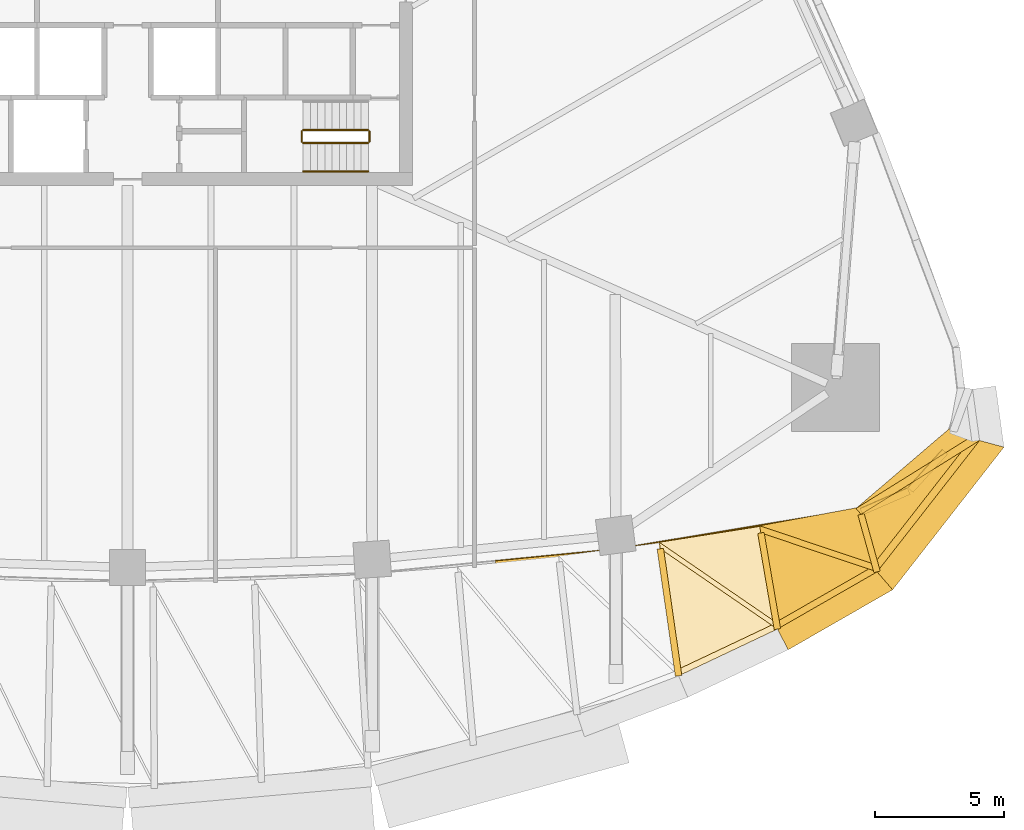
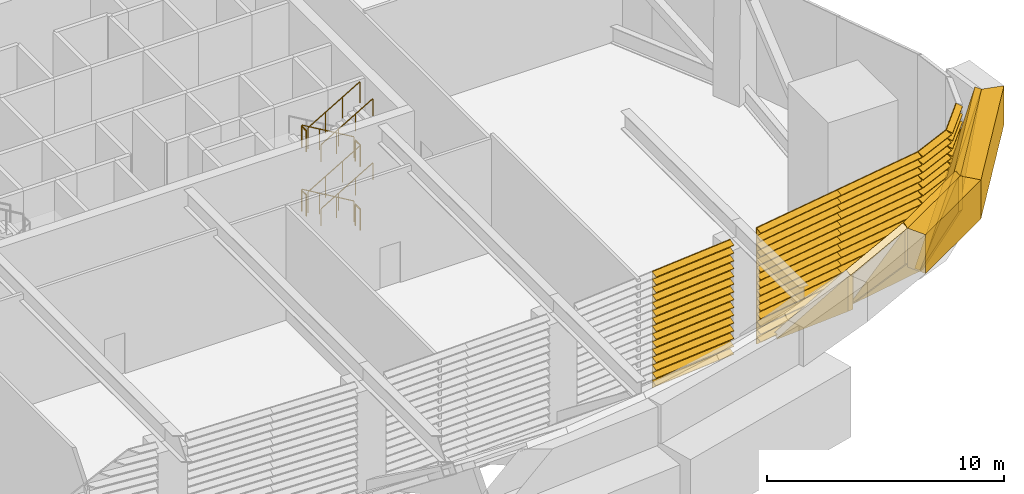
# One storey, part 11 of 15: 11 coverings, 10 railings, 5 shading devices.
"""IFC4 building model written with IfcOpenShell, lengths in metres."""

from ifc_helpers import new_model, si_unit, direction, frame, origin, origin_2d, place, context, subcontext, project, spatial, polyline, circle, outline, extrude, material, layer, layer_set, type_object, element, save


model = new_model("IFC4")

# Units and contexts
model_context = context("Model", 3, precision=1e-05, world=origin(), true_north=direction((0.0, 1.0)))
body_context = subcontext(model_context, "Body", "Model", "MODEL_VIEW")
ifc_project = project(units=[si_unit("LENGTHUNIT", "METRE"), si_unit("AREAUNIT", "SQUARE_METRE"), si_unit("VOLUMEUNIT", "CUBIC_METRE"), si_unit("PLANEANGLEUNIT", "RADIAN"), si_unit("MASSUNIT", "GRAM", prefix="KILO")], contexts=[model_context])

# Site, building, storey
site_placement = place(None, origin())
site = spatial("IfcSite", under=ifc_project, at=site_placement, CompositionType="ELEMENT")
building_placement = place(site_placement, origin())
building = spatial("IfcBuilding", under=site, at=building_placement, Name="Sierra Prisma Convention Tower", CompositionType="ELEMENT")
storey_placement = place(building_placement, frame((0.0, 0.0, 34.199951171875)))
storey = spatial("IfcBuildingStorey", under=building, at=storey_placement, Name="L05", CompositionType="ELEMENT", Elevation=34.199951171875)

# Railings
ifc_material_1 = material(Name="Stainless steel", Category="steel")
railing_type_1 = type_object("IfcRailingType", Name="Exit stair handrail", PredefinedType="HANDRAIL", material=ifc_material_1)
for number, where, name in (
    (1, (6.780029296875, -7.449951171875, 1.81494140625), "L05 S2 stair handrail 2"),
    (2, (6.780029296875, -7.449951171875, 5.114990234375), "L05 S2 stair handrail 4"),
):
    element("IfcRailing", number, at=place(storey_placement, frame(where)), inside=storey, type_object=railing_type_1, Name=name, PredefinedType="HANDRAIL", context=body_context, shape_type="SweptSolid", body=[
        extrude(circle(Radius=0.02392578125, at=origin_2d()), frame((0.0, 0.0, 0.8759765625), z_axis=(0.86152411907, 0.0, 0.507716645641), x_axis=(0.0, 1.0, 0.0)), (0.0, 0.0, 1.0), 2.925048828125),
        extrude(circle(Radius=0.02099609375, at=origin_2d()), origin(), (0.0, 0.0, 1.0), 0.851806640625),
        extrude(circle(Radius=0.02099609375, at=origin_2d()), frame((0.840087890625, 0.0, 0.4951171875)), (0.0, 0.0, 1.0), 0.851806640625),
        extrude(circle(Radius=0.02099609375, at=origin_2d()), frame((1.679931640625, 0.0, 0.989990234375)), (0.0, 0.0, 1.0), 0.851806640625),
        extrude(circle(Radius=0.02099609375, at=origin_2d()), frame((2.52001953125, 0.0, 1.485107421875)), (0.0, 0.0, 1.0), 0.851806640625),
    ])

# Shading devices
ifc_material_2 = material(Name="Aluminium 6063-T6 bronze anodised", Category="aluminium")
shading_device_type = type_object("IfcShadingDeviceType", Name="Louvre bay bronze", PredefinedType="USERDEFINED", material=ifc_material_2)
shading_device_1_placement = place(storey_placement, frame((14.204345703125, -22.470947265625, 0.0), z_axis=(-0.995215370304, -0.097705510133, 0.0), x_axis=(0.0, 0.0, 1.0)))
element("IfcShadingDevice", 3, at=shading_device_1_placement, inside=storey, type_object=shading_device_type, Name="Louvre L05 S5.2", ObjectType="LOUVRE", PredefinedType="USERDEFINED", context=body_context, shape_type="SweptSolid", body=[
    extrude(outline(polyline([(0.0, 0.0), (6.0, 0.0), (6.0, -0.030171864421144508), (5.97998046875, -0.030171864421144508), (5.860107421875, -0.3000416905781454), (5.830078125, -0.3000416905781454), (5.949951171875, -0.030171864421144508), (5.60009765625, -0.030171864421144508), (5.580078125, -0.030171864421144508), (5.4599609375, -0.3000416905781454), (5.429931640625, -0.3000416905781454), (5.550048828125, -0.030171864421144508), (5.199951171875, -0.030171864421144508), (5.179931640625, -0.030171864421144508), (5.06005859375, -0.3000416905781454), (5.030029296875, -0.3000416905781454), (5.150146484375, -0.030171864421144508), (4.800048828125, -0.030171864421144508), (4.780029296875, -0.030171864421144508), (4.66015625, -0.3000416905781454), (4.630126953125, -0.3000416905781454), (4.75, -0.030171864421144508), (4.400146484375, -0.030171864421144508), (4.380126953125, -0.030171864421144508), (4.260009765625, -0.3000416905781454), (4.22998046875, -0.3000416905781454), (4.35009765625, -0.030171864421144508), (4.0, -0.030171864421144508), (3.97998046875, -0.030171864421144508), (3.860107421875, -0.3000416905781454), (3.830078125, -0.3000416905781454), (3.949951171875, -0.030171864421144508), (3.60009765625, -0.030171864421144508), (3.580078125, -0.030171864421144508), (3.4599609375, -0.3000416905781454), (3.429931640625, -0.3000416905781454), (3.550048828125, -0.030171864421144508), (3.199951171875, -0.030171864421144508), (3.179931640625, -0.030171864421144508), (3.06005859375, -0.3000416905781454), (3.030029296875, -0.3000416905781454), (3.150146484375, -0.030171864421144508), (2.800048828125, -0.030171864421144508), (2.780029296875, -0.030171864421144508), (2.66015625, -0.3000416905781454), (2.630126953125, -0.3000416905781454), (2.75, -0.030171864421144508), (2.400146484375, -0.030171864421144508), (2.380126953125, -0.030171864421144508), (2.260009765625, -0.3000416905781454), (2.22998046875, -0.3000416905781454), (2.35009765625, -0.030171864421144508), (2.0, -0.030171864421144508), (1.97998046875, -0.030171864421144508), (1.860107421875, -0.3000416905781454), (1.830078125, -0.3000416905781454), (1.949951171875, -0.030171864421144508), (1.60009765625, -0.030171864421144508), (1.580078125, -0.030171864421144508), (1.4599609375, -0.3000416905781454), (1.429931640625, -0.3000416905781454), (1.550048828125, -0.030171864421144508), (1.199951171875, -0.030171864421144508), (1.179931640625, -0.030171864421144508), (1.06005859375, -0.3000416905781454), (1.030029296875, -0.3000416905781454), (1.150146484375, -0.030171864421144508), (0.800048828125, -0.030171864421144508), (0.780029296875, -0.030171864421144508), (0.66015625, -0.3000416905781454), (0.630126953125, -0.3000416905781454), (0.75, -0.030171864421144508), (0.400146484375, -0.030171864421144508), (0.380126953125, -0.030171864421144508), (0.260009765625, -0.3000416905781454), (0.22998046875, -0.3000416905781454), (0.35009765625, -0.030171864421144508), (0.0, -0.030171864421144508), (0.0, 0.0)])), origin(), (0.0, 0.0, -1.0), 4.044189453125),
])
shading_device_2_placement = place(storey_placement, frame((19.615966796875, -21.889404296875, 0.0), z_axis=(-0.986574086601, -0.163314333868, 0.0), x_axis=(0.0, 0.0, 1.0)))
element("IfcShadingDevice", 4, at=shading_device_2_placement, inside=storey, type_object=shading_device_type, Name="Louvre L05 S6.1", ObjectType="LOUVRE", PredefinedType="USERDEFINED", context=body_context, shape_type="SweptSolid", body=[
    extrude(outline(polyline([(0.0, 0.0), (6.0, 0.0), (6.0, -0.02994183377834988), (5.97998046875, -0.02994183377834988), (5.860107421875, -0.2999399350752641), (5.830078125, -0.2999399350752641), (5.949951171875, -0.02994183377834988), (5.60009765625, -0.02994183377834988), (5.580078125, -0.02994183377834988), (5.4599609375, -0.2999399350752641), (5.429931640625, -0.2999399350752641), (5.550048828125, -0.02994183377834988), (5.199951171875, -0.02994183377834988), (5.179931640625, -0.02994183377834988), (5.06005859375, -0.2999399350752641), (5.030029296875, -0.2999399350752641), (5.150146484375, -0.02994183377834988), (4.800048828125, -0.02994183377834988), (4.780029296875, -0.02994183377834988), (4.66015625, -0.2999399350752641), (4.630126953125, -0.2999399350752641), (4.75, -0.02994183377834988), (4.400146484375, -0.02994183377834988), (4.380126953125, -0.02994183377834988), (4.260009765625, -0.2999399350752641), (4.22998046875, -0.2999399350752641), (4.35009765625, -0.02994183377834988), (4.0, -0.02994183377834988), (3.97998046875, -0.02994183377834988), (3.860107421875, -0.2999399350752641), (3.830078125, -0.2999399350752641), (3.949951171875, -0.02994183377834988), (3.60009765625, -0.02994183377834988), (3.580078125, -0.02994183377834988), (3.4599609375, -0.2999399350752641), (3.429931640625, -0.2999399350752641), (3.550048828125, -0.02994183377834988), (3.199951171875, -0.02994183377834988), (3.179931640625, -0.02994183377834988), (3.06005859375, -0.2999399350752641), (3.030029296875, -0.2999399350752641), (3.150146484375, -0.02994183377834988), (2.800048828125, -0.02994183377834988), (2.780029296875, -0.02994183377834988), (2.66015625, -0.2999399350752641), (2.630126953125, -0.2999399350752641), (2.75, -0.02994183377834988), (2.400146484375, -0.02994183377834988), (2.380126953125, -0.02994183377834988), (2.260009765625, -0.2999399350752641), (2.22998046875, -0.2999399350752641), (2.35009765625, -0.02994183377834988), (2.0, -0.02994183377834988), (1.97998046875, -0.02994183377834988), (1.860107421875, -0.2999399350752641), (1.830078125, -0.2999399350752641), (1.949951171875, -0.02994183377834988), (1.60009765625, -0.02994183377834988), (1.580078125, -0.02994183377834988), (1.4599609375, -0.2999399350752641), (1.429931640625, -0.2999399350752641), (1.550048828125, -0.02994183377834988), (1.199951171875, -0.02994183377834988), (1.179931640625, -0.02994183377834988), (1.06005859375, -0.2999399350752641), (1.030029296875, -0.2999399350752641), (1.150146484375, -0.02994183377834988), (0.800048828125, -0.02994183377834988), (0.780029296875, -0.02994183377834988), (0.66015625, -0.2999399350752641), (0.630126953125, -0.2999399350752641), (0.75, -0.02994183377834988), (0.400146484375, -0.02994183377834988), (0.380126953125, -0.02994183377834988), (0.260009765625, -0.2999399350752641), (0.22998046875, -0.2999399350752641), (0.35009765625, -0.02994183377834988), (0.0, -0.02994183377834988), (0.0, 0.0)])), origin(), (0.0, 0.0, -1.0), 4.394287109375),
])
shading_device_3_placement = place(storey_placement, frame((23.950927734375, -21.17041015625, 0.0), z_axis=(-0.986574086601, -0.163314333868, 0.0), x_axis=(0.0, 0.0, 1.0)))
element("IfcShadingDevice", 5, at=shading_device_3_placement, inside=storey, type_object=shading_device_type, Name="Louvre L05 S6.2", ObjectType="LOUVRE", PredefinedType="USERDEFINED", context=body_context, shape_type="SweptSolid", body=[
    extrude(outline(polyline([(0.0, 0.0), (6.0, 0.0), (6.0, -0.02994183377834988), (5.97998046875, -0.02994183377834988), (5.860107421875, -0.2999399350752641), (5.830078125, -0.2999399350752641), (5.949951171875, -0.02994183377834988), (5.60009765625, -0.02994183377834988), (5.580078125, -0.02994183377834988), (5.4599609375, -0.2999399350752641), (5.429931640625, -0.2999399350752641), (5.550048828125, -0.02994183377834988), (5.199951171875, -0.02994183377834988), (5.179931640625, -0.02994183377834988), (5.06005859375, -0.2999399350752641), (5.030029296875, -0.2999399350752641), (5.150146484375, -0.02994183377834988), (4.800048828125, -0.02994183377834988), (4.780029296875, -0.02994183377834988), (4.66015625, -0.2999399350752641), (4.630126953125, -0.2999399350752641), (4.75, -0.02994183377834988), (4.400146484375, -0.02994183377834988), (4.380126953125, -0.02994183377834988), (4.260009765625, -0.2999399350752641), (4.22998046875, -0.2999399350752641), (4.35009765625, -0.02994183377834988), (4.0, -0.02994183377834988), (3.97998046875, -0.02994183377834988), (3.860107421875, -0.2999399350752641), (3.830078125, -0.2999399350752641), (3.949951171875, -0.02994183377834988), (3.60009765625, -0.02994183377834988), (3.580078125, -0.02994183377834988), (3.4599609375, -0.2999399350752641), (3.429931640625, -0.2999399350752641), (3.550048828125, -0.02994183377834988), (3.199951171875, -0.02994183377834988), (3.179931640625, -0.02994183377834988), (3.06005859375, -0.2999399350752641), (3.030029296875, -0.2999399350752641), (3.150146484375, -0.02994183377834988), (2.800048828125, -0.02994183377834988), (2.780029296875, -0.02994183377834988), (2.66015625, -0.2999399350752641), (2.630126953125, -0.2999399350752641), (2.75, -0.02994183377834988), (2.400146484375, -0.02994183377834988), (2.380126953125, -0.02994183377834988), (2.260009765625, -0.2999399350752641), (2.22998046875, -0.2999399350752641), (2.35009765625, -0.02994183377834988), (2.0, -0.02994183377834988), (1.97998046875, -0.02994183377834988), (1.860107421875, -0.2999399350752641), (1.830078125, -0.2999399350752641), (1.949951171875, -0.02994183377834988), (1.60009765625, -0.02994183377834988), (1.580078125, -0.02994183377834988), (1.4599609375, -0.2999399350752641), (1.429931640625, -0.2999399350752641), (1.550048828125, -0.02994183377834988), (1.199951171875, -0.02994183377834988), (1.179931640625, -0.02994183377834988), (1.06005859375, -0.2999399350752641), (1.030029296875, -0.2999399350752641), (1.150146484375, -0.02994183377834988), (0.800048828125, -0.02994183377834988), (0.780029296875, -0.02994183377834988), (0.66015625, -0.2999399350752641), (0.630126953125, -0.2999399350752641), (0.75, -0.02994183377834988), (0.400146484375, -0.02994183377834988), (0.380126953125, -0.02994183377834988), (0.260009765625, -0.2999399350752641), (0.22998046875, -0.2999399350752641), (0.35009765625, -0.02994183377834988), (0.0, -0.02994183377834988), (0.0, 0.0)])), origin(), (0.0, 0.0, -1.0), 4.394287109375),
])
shading_device_4_placement = place(storey_placement, frame((28.285888671875, -20.451416015625, 0.0), z_axis=(-0.917283969217, -0.398233750223, 0.0), x_axis=(0.0, 0.0, 1.0)))
element("IfcShadingDevice", 6, at=shading_device_4_placement, inside=storey, type_object=shading_device_type, Name="Louvre L05 SE1.1", ObjectType="LOUVRE", PredefinedType="USERDEFINED", context=body_context, shape_type="SweptSolid", body=[
    extrude(outline(polyline([(0.0, 0.0), (6.0, 0.0), (6.0, -0.03006995661193828), (5.97998046875, -0.03006995661193828), (5.860107421875, -0.30002772727474114), (5.830078125, -0.30002772727474114), (5.949951171875, -0.03006995661193828), (5.60009765625, -0.03006995661193828), (5.580078125, -0.03006995661193828), (5.4599609375, -0.30002772727474114), (5.429931640625, -0.30002772727474114), (5.550048828125, -0.03006995661193828), (5.199951171875, -0.03006995661193828), (5.179931640625, -0.03006995661193828), (5.06005859375, -0.30002772727474114), (5.030029296875, -0.30002772727474114), (5.150146484375, -0.03006995661193828), (4.800048828125, -0.03006995661193828), (4.780029296875, -0.03006995661193828), (4.66015625, -0.30002772727474114), (4.630126953125, -0.30002772727474114), (4.75, -0.03006995661193828), (4.400146484375, -0.03006995661193828), (4.380126953125, -0.03006995661193828), (4.260009765625, -0.30002772727474114), (4.22998046875, -0.30002772727474114), (4.35009765625, -0.03006995661193828), (4.0, -0.03006995661193828), (3.97998046875, -0.03006995661193828), (3.860107421875, -0.30002772727474114), (3.830078125, -0.30002772727474114), (3.949951171875, -0.03006995661193828), (3.60009765625, -0.03006995661193828), (3.580078125, -0.03006995661193828), (3.4599609375, -0.30002772727474114), (3.429931640625, -0.30002772727474114), (3.550048828125, -0.03006995661193828), (3.199951171875, -0.03006995661193828), (3.179931640625, -0.03006995661193828), (3.06005859375, -0.30002772727474114), (3.030029296875, -0.30002772727474114), (3.150146484375, -0.03006995661193828), (2.800048828125, -0.03006995661193828), (2.780029296875, -0.03006995661193828), (2.66015625, -0.30002772727474114), (2.630126953125, -0.30002772727474114), (2.75, -0.03006995661193828), (2.400146484375, -0.03006995661193828), (2.380126953125, -0.03006995661193828), (2.260009765625, -0.30002772727474114), (2.22998046875, -0.30002772727474114), (2.35009765625, -0.03006995661193828), (2.0, -0.03006995661193828), (1.97998046875, -0.03006995661193828), (1.860107421875, -0.30002772727474114), (1.830078125, -0.30002772727474114), (1.949951171875, -0.03006995661193828), (1.60009765625, -0.03006995661193828), (1.580078125, -0.03006995661193828), (1.4599609375, -0.30002772727474114), (1.429931640625, -0.30002772727474114), (1.550048828125, -0.03006995661193828), (1.199951171875, -0.03006995661193828), (1.179931640625, -0.03006995661193828), (1.06005859375, -0.30002772727474114), (1.030029296875, -0.30002772727474114), (1.150146484375, -0.03006995661193828), (0.800048828125, -0.03006995661193828), (0.780029296875, -0.03006995661193828), (0.66015625, -0.30002772727474114), (0.630126953125, -0.30002772727474114), (0.75, -0.03006995661193828), (0.400146484375, -0.03006995661193828), (0.380126953125, -0.03006995661193828), (0.260009765625, -0.30002772727474114), (0.22998046875, -0.30002772727474114), (0.35009765625, -0.03006995661193828), (0.0, -0.03006995661193828), (0.0, 0.0)])), origin(), (0.0, 0.0, -1.0), 2.00341796875),
])
shading_device_5_placement = place(storey_placement, frame((30.12353515625, -19.6533203125, 0.0), z_axis=(-0.670240948462, -0.742143564956, 0.0), x_axis=(0.0, 0.0, 1.0)))
element("IfcShadingDevice", 7, at=shading_device_5_placement, inside=storey, type_object=shading_device_type, Name="Louvre L05 SE2.1", ObjectType="LOUVRE", PredefinedType="USERDEFINED", context=body_context, shape_type="SweptSolid", body=[
    extrude(outline(polyline([(0.0, 0.0), (6.0, 0.0), (6.0, -0.02990596244746788), (5.97998046875, -0.02990596244746788), (5.860107421875, -0.30005897708875695), (5.830078125, -0.30005897708875695), (5.949951171875, -0.02990596244746788), (5.60009765625, -0.02990596244746788), (5.580078125, -0.02990596244746788), (5.4599609375, -0.30005897708875695), (5.429931640625, -0.30005897708875695), (5.550048828125, -0.02990596244746788), (5.199951171875, -0.02990596244746788), (5.179931640625, -0.02990596244746788), (5.06005859375, -0.30005897708875695), (5.030029296875, -0.30005897708875695), (5.150146484375, -0.02990596244746788), (4.800048828125, -0.02990596244746788), (4.780029296875, -0.02990596244746788), (4.66015625, -0.30005897708875695), (4.630126953125, -0.30005897708875695), (4.75, -0.02990596244746788), (4.400146484375, -0.02990596244746788), (4.380126953125, -0.02990596244746788), (4.260009765625, -0.30005897708875695), (4.22998046875, -0.30005897708875695), (4.35009765625, -0.02990596244746788), (4.0, -0.02990596244746788), (3.97998046875, -0.02990596244746788), (3.860107421875, -0.30005897708875695), (3.830078125, -0.30005897708875695), (3.949951171875, -0.02990596244746788), (3.60009765625, -0.02990596244746788), (3.580078125, -0.02990596244746788), (3.4599609375, -0.30005897708875695), (3.429931640625, -0.30005897708875695), (3.550048828125, -0.02990596244746788), (3.199951171875, -0.02990596244746788), (3.179931640625, -0.02990596244746788), (3.06005859375, -0.30005897708875695), (3.030029296875, -0.30005897708875695), (3.150146484375, -0.02990596244746788), (2.800048828125, -0.02990596244746788), (2.780029296875, -0.02990596244746788), (2.66015625, -0.30005897708875695), (2.630126953125, -0.30005897708875695), (2.75, -0.02990596244746788), (2.400146484375, -0.02990596244746788), (2.380126953125, -0.02990596244746788), (2.260009765625, -0.30005897708875695), (2.22998046875, -0.30005897708875695), (2.35009765625, -0.02990596244746788), (2.0, -0.02990596244746788), (1.97998046875, -0.02990596244746788), (1.860107421875, -0.30005897708875695), (1.830078125, -0.30005897708875695), (1.949951171875, -0.02990596244746788), (1.60009765625, -0.02990596244746788), (1.580078125, -0.02990596244746788), (1.4599609375, -0.30005897708875695), (1.429931640625, -0.30005897708875695), (1.550048828125, -0.02990596244746788), (1.199951171875, -0.02990596244746788), (1.179931640625, -0.02990596244746788), (1.06005859375, -0.30005897708875695), (1.030029296875, -0.30005897708875695), (1.150146484375, -0.02990596244746788), (0.800048828125, -0.02990596244746788), (0.780029296875, -0.02990596244746788), (0.66015625, -0.30005897708875695), (0.630126953125, -0.30005897708875695), (0.75, -0.02990596244746788), (0.400146484375, -0.02990596244746788), (0.380126953125, -0.02990596244746788), (0.260009765625, -0.30005897708875695), (0.22998046875, -0.30005897708875695), (0.35009765625, -0.02990596244746788), (0.0, -0.02990596244746788), (0.0, 0.0)])), origin(), (0.0, 0.0, -1.0), 2.00341796875),
])

# Coverings
ifc_material_3 = material(Name="Aluminium composite bronze anodised", Category="aluminium")
ifc_layer_1 = layer(ifc_material_3, 0.25)
ifc_layer_set_1 = layer_set([ifc_layer_1], Name="Overhang bracket")
covering_type_1 = type_object("IfcCoveringType", Name="Overhang bracket", PredefinedType="CLADDING", material=ifc_layer_set_1)
covering_1_placement = place(storey_placement, frame((20.458251953125, -22.04541015625, 0.0), z_axis=(-0.989819147339, -0.142330796246, 0.0), x_axis=(0.090692805218, -0.630710130894, 0.770700685006)))
element("IfcCovering", 8, at=covering_1_placement, inside=storey, type_object=covering_type_1, Name="Overhang bracket 15", PredefinedType="CLADDING", context=body_context, shape_type="SweptSolid", body=[
    extrude(outline(polyline([(0.0, 0.0), (7.785123481432699, -4.440892098500626e-16), (6.397824616551699, -1.146986330840118), (0.0, 0.0)])), origin(), (0.0, 0.0, -1.0), 0.25),
])
covering_2_placement = place(storey_placement, frame((24.34423828125, -21.43603515625, 0.0), z_axis=(-0.985578775158, -0.169217250771, 0.0), x_axis=(0.090027181955, -0.524348902476, 0.84673096966)))
element("IfcCovering", 9, at=covering_2_placement, inside=storey, type_object=covering_type_1, Name="Overhang bracket 16", PredefinedType="CLADDING", context=body_context, shape_type="SweptSolid", body=[
    extrude(outline(polyline([(0.0, 0.0), (7.086075996971717, -8.881784197001252e-16), (5.5619189072981685, -0.957664319911756), (0.0, 0.0)])), origin(), (0.0, 0.0, -1.0), 0.25),
])
covering_3_placement = place(storey_placement, frame((28.214599609375, -20.730224609375, 0.0), z_axis=(-0.963209673446, -0.268751046473, 0.0), x_axis=(0.096498579017, -0.345853033889, 0.933313293165)))
element("IfcCovering", 10, at=covering_3_placement, inside=storey, type_object=covering_type_1, Name="Overhang bracket 17", PredefinedType="CLADDING", context=body_context, shape_type="SweptSolid", body=[
    extrude(outline(polyline([(0.0, 0.0), (6.428709463310276, 0.0), (4.748699963676005, -0.6463310798443715), (0.0, 0.0)])), origin(), (0.0, 0.0, -1.0), 0.25),
])
ifc_material_4 = material(Name="Aluminium composite bronze anodised", Category="aluminium")
ifc_layer_2 = layer(ifc_material_4, 0.89990234375)
ifc_layer_set_2 = layer_set([ifc_layer_2], Name="Overhang fascia")
covering_type_2 = type_object("IfcCoveringType", Name="Overhang fascia", PredefinedType="CLADDING", material=ifc_layer_set_2)
covering_4_placement = place(storey_placement, frame((0.0, 0.0, 4.0)))
element("IfcCovering", 11, at=covering_4_placement, inside=storey, type_object=covering_type_2, Name="Overhang fascia 16", PredefinedType="CLADDING", context=body_context, shape_type="SweptSolid", body=[
    extrude(outline(polyline([(25.10546875, -25.13037109375), (28.95556640625, -22.919921875), (29.556396484375, -23.612548828125), (25.522705078125, -25.9287109375), (25.10546875, -25.13037109375)])), origin(), (0.0, 0.0, 1.0), 2.0),
])
covering_5_placement = place(storey_placement, frame((0.0, 0.0, 4.0)))
element("IfcCovering", 12, at=covering_5_placement, inside=storey, type_object=covering_type_2, Name="Overhang fascia 17", PredefinedType="CLADDING", context=body_context, shape_type="SweptSolid", body=[
    extrude(outline(polyline([(28.95556640625, -22.919921875), (32.915771484375, -17.845947265625), (33.858642578125, -18.1005859375), (29.556396484375, -23.612548828125), (28.95556640625, -22.919921875)])), origin(), (0.0, 0.0, 1.0), 2.0),
])
ifc_material_5 = material(Name="Aluminium composite bronze anodised", Category="aluminium")
ifc_layer_3 = layer(ifc_material_5, 0.300048828125)
ifc_layer_set_3 = layer_set([ifc_layer_3], Name="Soffit panel bronze")
covering_type_3 = type_object("IfcCoveringType", Name="Soffit panel bronze", PredefinedType="CLADDING", material=ifc_layer_set_3)
covering_6_placement = place(storey_placement, frame((20.581787109375, -22.027587890625, 0.0), z_axis=(0.13190528651, -0.836416151431, -0.531985918062), x_axis=(0.987792134341, 0.155777724126, 0.0)))
element("IfcCovering", 13, at=covering_6_placement, inside=storey, type_object=covering_type_3, Name="Soffit panel 29", PredefinedType="CLADDING", context=body_context, shape_type="SweptSolid", body=[
    extrude(outline(polyline([(0.0, 0.0), (3.933765062922127, 0.0), (3.9851126370318033, 7.085889955502538), (0.0, 0.0)])), origin(), (0.0, 0.0, -1.0), 0.300048828125),
])
covering_7_placement = place(storey_placement, frame((20.581787109375, -22.027587890625, 0.0), z_axis=(0.335777674923, -0.709201637863, -0.619908372162), x_axis=(0.556443413191, -0.381663302836, 0.738040548469)))
element("IfcCovering", 14, at=covering_7_placement, inside=storey, type_object=covering_type_3, Name="Soffit panel 30", PredefinedType="CLADDING", context=body_context, shape_type="SweptSolid", body=[
    extrude(outline(polyline([(0.0, 0.0), (8.129634628402579, 4.440892098500626e-16), (6.695285073284831, 3.972612518415829), (0.0, 0.0)])), origin(), (0.0, 0.0, -1.0), 0.300048828125),
])
covering_8_placement = place(storey_placement, frame((24.467529296875, -21.414794921875, 0.0), z_axis=(0.170506720203, -0.918081901679, -0.357845050511), x_axis=(0.983187621833, 0.182598193513, 0.0)))
element("IfcCovering", 15, at=covering_8_placement, inside=storey, type_object=covering_type_3, Name="Soffit panel 31", PredefinedType="CLADDING", context=body_context, shape_type="SweptSolid", body=[
    extrude(outline(polyline([(0.0, 0.0), (3.9335642096613963, -5.551115123125783e-17), (4.137749069617598, 6.4254896215797555), (0.0, 0.0)])), origin(), (0.0, 0.0, -1.0), 0.300048828125),
])
covering_9_placement = place(storey_placement, frame((24.467529296875, -21.414794921875, 0.0), z_axis=(0.428831411642, -0.74692637084, -0.508138383644), x_axis=(0.587246858097, -0.196941569938, 0.785082890964)))
element("IfcCovering", 16, at=covering_9_placement, inside=storey, type_object=covering_type_3, Name="Soffit panel 32", PredefinedType="CLADDING", context=body_context, shape_type="SweptSolid", body=[
    extrude(outline(polyline([(0.0, 0.0), (7.642505102396102, -4.440892098500626e-16), (5.8168766898041895, 4.046778794358714), (0.0, 0.0)])), origin(), (0.0, 0.0, -1.0), 0.300048828125),
])
covering_10_placement = place(storey_placement, frame((28.3349609375, -20.696533203125, 0.0), z_axis=(0.643899923168, -0.75333961452, -0.133687374645), x_axis=(0.760163177746, 0.649732208836, 0.0)))
element("IfcCovering", 17, at=covering_10_placement, inside=storey, type_object=covering_type_3, Name="Soffit panel 33", PredefinedType="CLADDING", context=body_context, shape_type="SweptSolid", body=[
    extrude(outline(polyline([(0.0, 0.0), (4.881443179578097, 0.0), (5.334280999614132, 6.054346510614473), (0.0, 0.0)])), origin(), (0.0, 0.0, -1.0), 0.300048828125),
])
covering_11_placement = place(storey_placement, frame((28.3349609375, -20.696533203125, 0.0), z_axis=(0.753061913479, -0.587760058632, -0.295695566326), x_axis=(0.567700920835, 0.353273780934, 0.743581401185)))
element("IfcCovering", 18, at=covering_11_placement, inside=storey, type_object=covering_type_3, Name="Soffit panel 34", PredefinedType="CLADDING", context=body_context, shape_type="SweptSolid", body=[
    extrude(outline(polyline([(0.0, 0.0), (8.06905604475728, 0.0), (4.028341780594534, 5.010096888562231), (0.0, 0.0)])), origin(), (0.0, 0.0, -1.0), 0.300048828125),
])

# Railings
ifc_material_6 = material(Name="Stainless steel", Category="steel")
railing_type_2 = type_object("IfcRailingType", Name="Stair guard 1100", PredefinedType="GUARDRAIL", material=ifc_material_6)
railing_1_placement = place(storey_placement, frame((9.300048828125, -5.85009765625, 0.1650390625)))
element("IfcRailing", 19, at=railing_1_placement, inside=storey, type_object=railing_type_2, Name="L05 S2 stair guard 1", PredefinedType="GUARDRAIL", context=body_context, shape_type="SweptSolid", body=[
    extrude(circle(Radius=0.02392578125, at=origin_2d()), frame((0.0, 0.0, 1.076171875), z_axis=(-0.86152411907, 0.0, 0.507716645641), x_axis=(0.0, -1.0, 0.0)), (0.0, 0.0, 1.0), 2.925048828125),
    extrude(circle(Radius=0.02099609375, at=origin_2d()), origin(), (0.0, 0.0, 1.0), 1.052001953125),
    extrude(circle(Radius=0.02099609375, at=origin_2d()), frame((-0.840087890625, 0.0, 0.4951171875)), (0.0, 0.0, 1.0), 1.052001953125),
    extrude(circle(Radius=0.02099609375, at=origin_2d()), frame((-1.679931640625, 0.0, 0.989990234375)), (0.0, 0.0, 1.0), 1.052001953125),
    extrude(circle(Radius=0.02099609375, at=origin_2d()), frame((-2.52001953125, 0.0, 1.485107421875)), (0.0, 0.0, 1.0), 1.052001953125),
])
railing_2_placement = place(storey_placement, frame((6.72998046875, -5.89990234375, 1.650146484375)))
element("IfcRailing", 20, at=railing_2_placement, inside=storey, type_object=railing_type_2, Name="L05 S2 stair guard 2", PredefinedType="GUARDRAIL", context=body_context, shape_type="SweptSolid", body=[
    extrude(circle(Radius=0.02392578125, at=origin_2d()), frame((0.0, 0.0, 1.076171875), z_axis=(0.0, -1.0, 0.0), x_axis=(1.0, 0.0, 0.0)), (0.0, 0.0, 1.0), 0.400146484375),
    extrude(circle(Radius=0.02099609375, at=origin_2d()), origin(), (0.0, 0.0, 1.0), 1.052001953125),
    extrude(circle(Radius=0.02099609375, at=origin_2d()), frame((0.0, -0.400146484375, 0.0)), (0.0, 0.0, 1.0), 1.052001953125),
])
railing_3_placement = place(storey_placement, frame((6.780029296875, -6.35009765625, 1.81494140625)))
element("IfcRailing", 21, at=railing_3_placement, inside=storey, type_object=railing_type_2, Name="L05 S2 stair guard 3", PredefinedType="GUARDRAIL", context=body_context, shape_type="SweptSolid", body=[
    extrude(circle(Radius=0.02392578125, at=origin_2d()), frame((0.0, 0.0, 1.076171875), z_axis=(0.86152411907, 0.0, 0.507716645641), x_axis=(0.0, 1.0, 0.0)), (0.0, 0.0, 1.0), 2.925048828125),
    extrude(circle(Radius=0.02099609375, at=origin_2d()), origin(), (0.0, 0.0, 1.0), 1.052001953125),
    extrude(circle(Radius=0.02099609375, at=origin_2d()), frame((0.840087890625, 0.0, 0.4951171875)), (0.0, 0.0, 1.0), 1.052001953125),
    extrude(circle(Radius=0.02099609375, at=origin_2d()), frame((1.679931640625, 0.0, 0.989990234375)), (0.0, 0.0, 1.0), 1.052001953125),
    extrude(circle(Radius=0.02099609375, at=origin_2d()), frame((2.52001953125, 0.0, 1.485107421875)), (0.0, 0.0, 1.0), 1.052001953125),
])
railing_4_placement = place(storey_placement, frame((9.35009765625, -5.89990234375, 3.300048828125)))
element("IfcRailing", 22, at=railing_4_placement, inside=storey, type_object=railing_type_2, Name="L05 S2 stair guard 4", PredefinedType="GUARDRAIL", context=body_context, shape_type="SweptSolid", body=[
    extrude(circle(Radius=0.02392578125, at=origin_2d()), frame((0.0, 0.0, 1.076171875), z_axis=(0.0, -1.0, 0.0), x_axis=(1.0, 0.0, 0.0)), (0.0, 0.0, 1.0), 0.400146484375),
    extrude(circle(Radius=0.02099609375, at=origin_2d()), origin(), (0.0, 0.0, 1.0), 1.052001953125),
    extrude(circle(Radius=0.02099609375, at=origin_2d()), frame((0.0, -0.400146484375, 0.0)), (0.0, 0.0, 1.0), 1.052001953125),
])
railing_5_placement = place(storey_placement, frame((9.300048828125, -5.85009765625, 3.465087890625)))
element("IfcRailing", 23, at=railing_5_placement, inside=storey, type_object=railing_type_2, Name="L05 S2 stair guard 5", PredefinedType="GUARDRAIL", context=body_context, shape_type="SweptSolid", body=[
    extrude(circle(Radius=0.02392578125, at=origin_2d()), frame((0.0, 0.0, 1.076171875), z_axis=(-0.861560626758, 0.0, 0.507654692109), x_axis=(0.0, -1.0, 0.0)), (0.0, 0.0, 1.0), 2.925048828125),
    extrude(circle(Radius=0.02099609375, at=origin_2d()), origin(), (0.0, 0.0, 1.0), 1.052001953125),
    extrude(circle(Radius=0.02099609375, at=origin_2d()), frame((-0.840087890625, 0.0, 0.494873046875)), (0.0, 0.0, 1.0), 1.052001953125),
    extrude(circle(Radius=0.02099609375, at=origin_2d()), frame((-1.679931640625, 0.0, 0.989990234375)), (0.0, 0.0, 1.0), 1.052001953125),
    extrude(circle(Radius=0.02099609375, at=origin_2d()), frame((-2.52001953125, 0.0, 1.48486328125)), (0.0, 0.0, 1.0), 1.052001953125),
])
railing_6_placement = place(storey_placement, frame((6.72998046875, -5.89990234375, 4.949951171875)))
element("IfcRailing", 24, at=railing_6_placement, inside=storey, type_object=railing_type_2, Name="L05 S2 stair guard 6", PredefinedType="GUARDRAIL", context=body_context, shape_type="SweptSolid", body=[
    extrude(circle(Radius=0.02392578125, at=origin_2d()), frame((0.0, 0.0, 1.076171875), z_axis=(0.0, -1.0, 0.0), x_axis=(1.0, 0.0, 0.0)), (0.0, 0.0, 1.0), 0.400146484375),
    extrude(circle(Radius=0.02099609375, at=origin_2d()), origin(), (0.0, 0.0, 1.0), 1.052001953125),
    extrude(circle(Radius=0.02099609375, at=origin_2d()), frame((0.0, -0.400146484375, 0.0)), (0.0, 0.0, 1.0), 1.052001953125),
])
railing_7_placement = place(storey_placement, frame((6.780029296875, -6.35009765625, 5.114990234375)))
element("IfcRailing", 25, at=railing_7_placement, inside=storey, type_object=railing_type_2, Name="L05 S2 stair guard 7", PredefinedType="GUARDRAIL", context=body_context, shape_type="SweptSolid", body=[
    extrude(circle(Radius=0.02392578125, at=origin_2d()), frame((0.0, 0.0, 1.076171875), z_axis=(0.86152411907, 0.0, 0.507716645641), x_axis=(0.0, 1.0, 0.0)), (0.0, 0.0, 1.0), 2.925048828125),
    extrude(circle(Radius=0.02099609375, at=origin_2d()), origin(), (0.0, 0.0, 1.0), 1.052001953125),
    extrude(circle(Radius=0.02099609375, at=origin_2d()), frame((0.840087890625, 0.0, 0.4951171875)), (0.0, 0.0, 1.0), 1.052001953125),
    extrude(circle(Radius=0.02099609375, at=origin_2d()), frame((1.679931640625, 0.0, 0.989990234375)), (0.0, 0.0, 1.0), 1.052001953125),
    extrude(circle(Radius=0.02099609375, at=origin_2d()), frame((2.52001953125, 0.0, 1.485107421875)), (0.0, 0.0, 1.0), 1.052001953125),
])
railing_8_placement = place(storey_placement, frame((9.35009765625, -5.89990234375, 0.0)))
element("IfcRailing", 26, at=railing_8_placement, inside=storey, type_object=railing_type_2, Name="L05 S2 stair guard 8", PredefinedType="GUARDRAIL", context=body_context, shape_type="SweptSolid", body=[
    extrude(circle(Radius=0.02392578125, at=origin_2d()), frame((0.0, 0.0, 1.076171875), z_axis=(0.0, -1.0, 0.0), x_axis=(1.0, 0.0, 0.0)), (0.0, 0.0, 1.0), 0.400146484375),
    extrude(circle(Radius=0.02099609375, at=origin_2d()), origin(), (0.0, 0.0, 1.0), 1.052001953125),
    extrude(circle(Radius=0.02099609375, at=origin_2d()), frame((0.0, -0.400146484375, 0.0)), (0.0, 0.0, 1.0), 1.052001953125),
])

save(model, "model.ifc")
